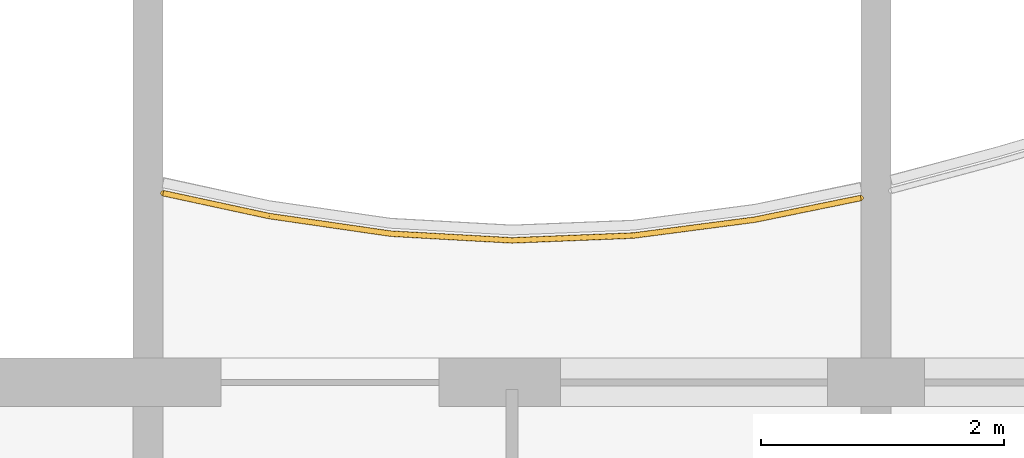
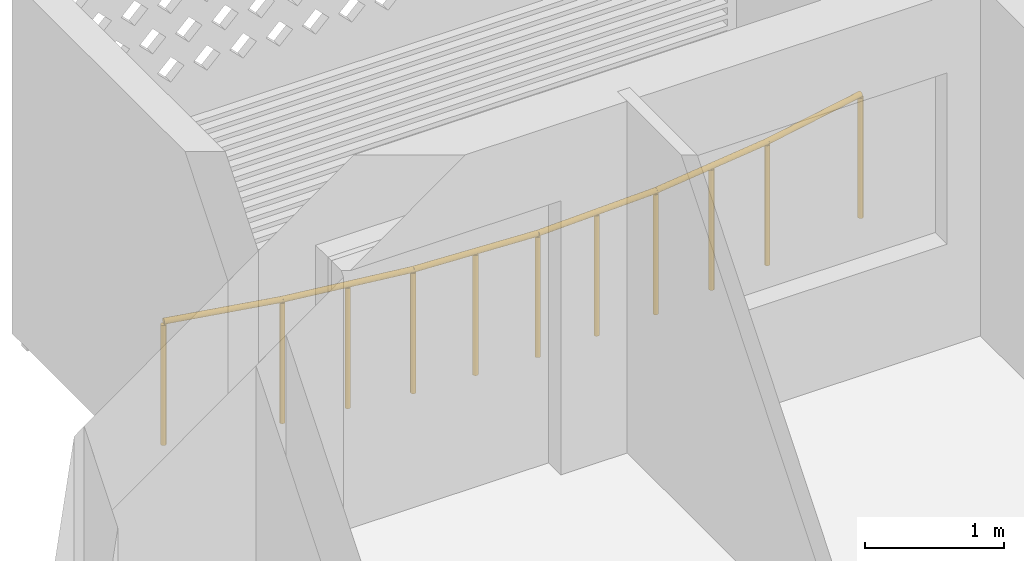
# One storey, part 15 of 28: 1 railing.
"""IFC4 building model written with IfcOpenShell, lengths in metres."""

from ifc_helpers import new_model, si_unit, direction, frame, origin, origin_2d, place, context, subcontext, project, spatial, circle, extrude, material, type_object, element, save


model = new_model("IFC4")

# Units and contexts
model_context = context("Model", 3, precision=1e-05, world=origin(), true_north=direction((0.0, 1.0)))
body_context = subcontext(model_context, "Body", "Model", "MODEL_VIEW")
ifc_project = project(units=[si_unit("LENGTHUNIT", "METRE"), si_unit("AREAUNIT", "SQUARE_METRE"), si_unit("VOLUMEUNIT", "CUBIC_METRE"), si_unit("PLANEANGLEUNIT", "RADIAN"), si_unit("MASSUNIT", "GRAM", prefix="KILO")], contexts=[model_context])

# Site, building, storey
site_placement = place(None, origin())
site = spatial("IfcSite", under=ifc_project, at=site_placement, CompositionType="ELEMENT")
building_placement = place(site_placement, origin())
building = spatial("IfcBuilding", under=site, at=building_placement, Name="Poui Terraces", CompositionType="ELEMENT")
storey_placement = place(building_placement, frame((0.0, 0.0, 188.39990234375)))
storey = spatial("IfcBuildingStorey", under=building, at=storey_placement, Name="L52", CompositionType="ELEMENT", Elevation=188.39990234375)

# Railing
ifc_material = material(Name="Painted steel fretwork", Category="steel")
railing_type = type_object("IfcRailingType", Name="BALCONY GUARD 1100", PredefinedType="GUARDRAIL", material=ifc_material)
railing_placement = place(storey_placement, frame((24.125, 42.759521484375, 0.0)))
element("IfcRailing", 1, at=railing_placement, inside=storey, type_object=railing_type, Name="BALCONY GUARD", PredefinedType="GUARDRAIL", context=body_context, shape_type="SweptSolid", body=[
    extrude(circle(Radius=0.02392578125, at=origin_2d()), frame((0.0, 0.0, 1.076171875), z_axis=(0.977522146276, -0.210832762018, 0.0), x_axis=(0.210832762018, 0.977522146276, 0.0)), (0.0, 0.0, 1.0), 0.89501953125),
    extrude(circle(Radius=0.02392578125, at=origin_2d()), frame((0.875, -0.188720703125, 1.076171875), z_axis=(0.989647671833, -0.143518241472, 0.0), x_axis=(0.143518241472, 0.989647671833, 0.0)), (0.0, 0.0, 1.0), 1.010498046875),
    extrude(circle(Radius=0.02392578125, at=origin_2d()), frame((1.875, -0.333740234375, 1.076171875), z_axis=(0.998467844587, -0.055335009942, 0.0), x_axis=(0.055335009942, 0.998467844587, 0.0)), (0.0, 0.0, 1.0), 1.00146484375),
    extrude(circle(Radius=0.02392578125, at=origin_2d()), frame((2.875, -0.38916015625, 1.076171875), z_axis=(0.99920912132, 0.03976344892, 0.0), x_axis=(-0.03976344892, 0.99920912132, 0.0)), (0.0, 0.0, 1.0), 1.000732421875),
    extrude(circle(Radius=0.02392578125, at=origin_2d()), frame((3.875, -0.349365234375, 1.076171875), z_axis=(0.991546329967, 0.129753133023, 0.0), x_axis=(-0.129753133023, 0.991546329967, 0.0)), (0.0, 0.0, 1.0), 1.008544921875),
    extrude(circle(Radius=0.02392578125, at=origin_2d()), frame((4.875, -0.218505859375, 1.076171875), z_axis=(0.979773441626, 0.200109977475, 0.0), x_axis=(-0.200109977475, 0.979773441626, 0.0)), (0.0, 0.0, 1.0), 0.89306640625),
    extrude(circle(Radius=0.02099609375, at=origin_2d()), origin(), (0.0, 0.0, 1.0), 1.052001953125),
    extrude(circle(Radius=0.02099609375, at=origin_2d()), frame((0.875, -0.188720703125, 0.0)), (0.0, 0.0, 1.0), 1.052001953125),
    extrude(circle(Radius=0.02099609375, at=origin_2d()), frame((1.375, -0.26123046875, 0.0)), (0.0, 0.0, 1.0), 1.052001953125),
    extrude(circle(Radius=0.02099609375, at=origin_2d()), frame((1.875, -0.333740234375, 0.0)), (0.0, 0.0, 1.0), 1.052001953125),
    extrude(circle(Radius=0.02099609375, at=origin_2d()), frame((2.375, -0.361328125, 0.0)), (0.0, 0.0, 1.0), 1.052001953125),
    extrude(circle(Radius=0.02099609375, at=origin_2d()), frame((2.875, -0.38916015625, 0.0)), (0.0, 0.0, 1.0), 1.052001953125),
    extrude(circle(Radius=0.02099609375, at=origin_2d()), frame((3.375, -0.369140625, 0.0)), (0.0, 0.0, 1.0), 1.052001953125),
    extrude(circle(Radius=0.02099609375, at=origin_2d()), frame((3.875, -0.349365234375, 0.0)), (0.0, 0.0, 1.0), 1.052001953125),
    extrude(circle(Radius=0.02099609375, at=origin_2d()), frame((4.375, -0.283935546875, 0.0)), (0.0, 0.0, 1.0), 1.052001953125),
    extrude(circle(Radius=0.02099609375, at=origin_2d()), frame((4.875, -0.218505859375, 0.0)), (0.0, 0.0, 1.0), 1.052001953125),
    extrude(circle(Radius=0.02099609375, at=origin_2d()), frame((5.75, -0.039794921875, 0.0)), (0.0, 0.0, 1.0), 1.052001953125),
])

save(model, "model.ifc")
